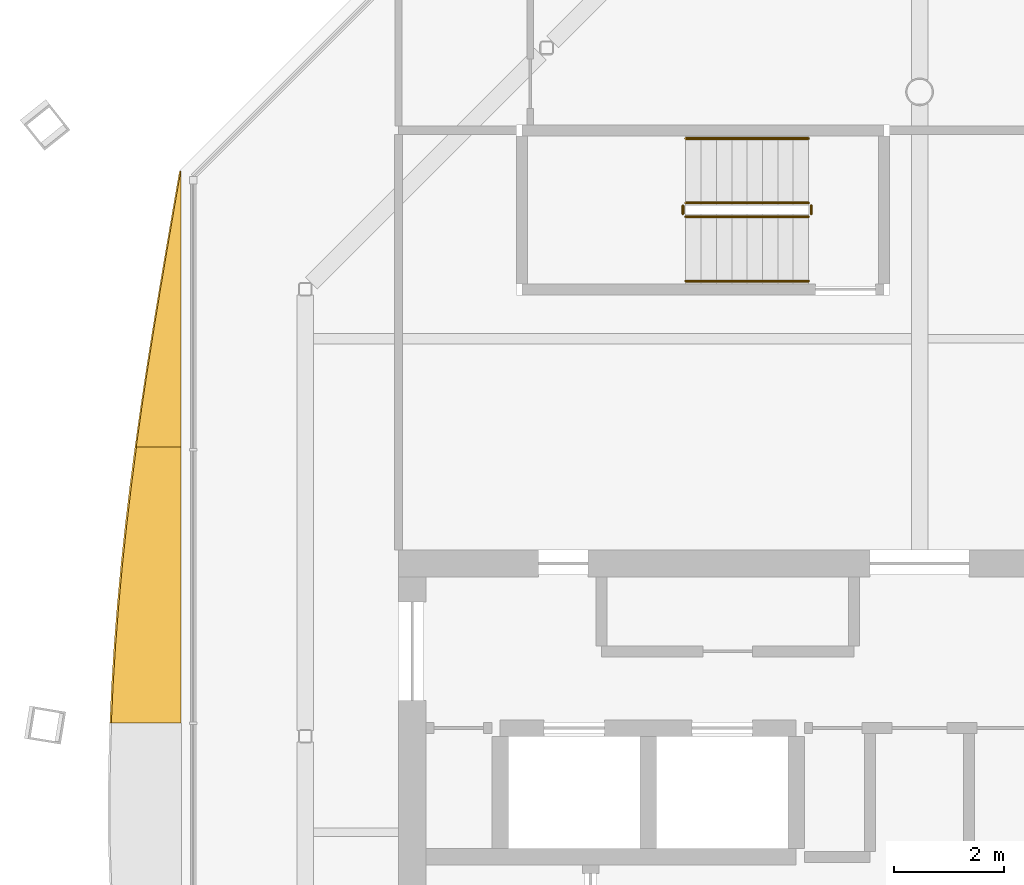
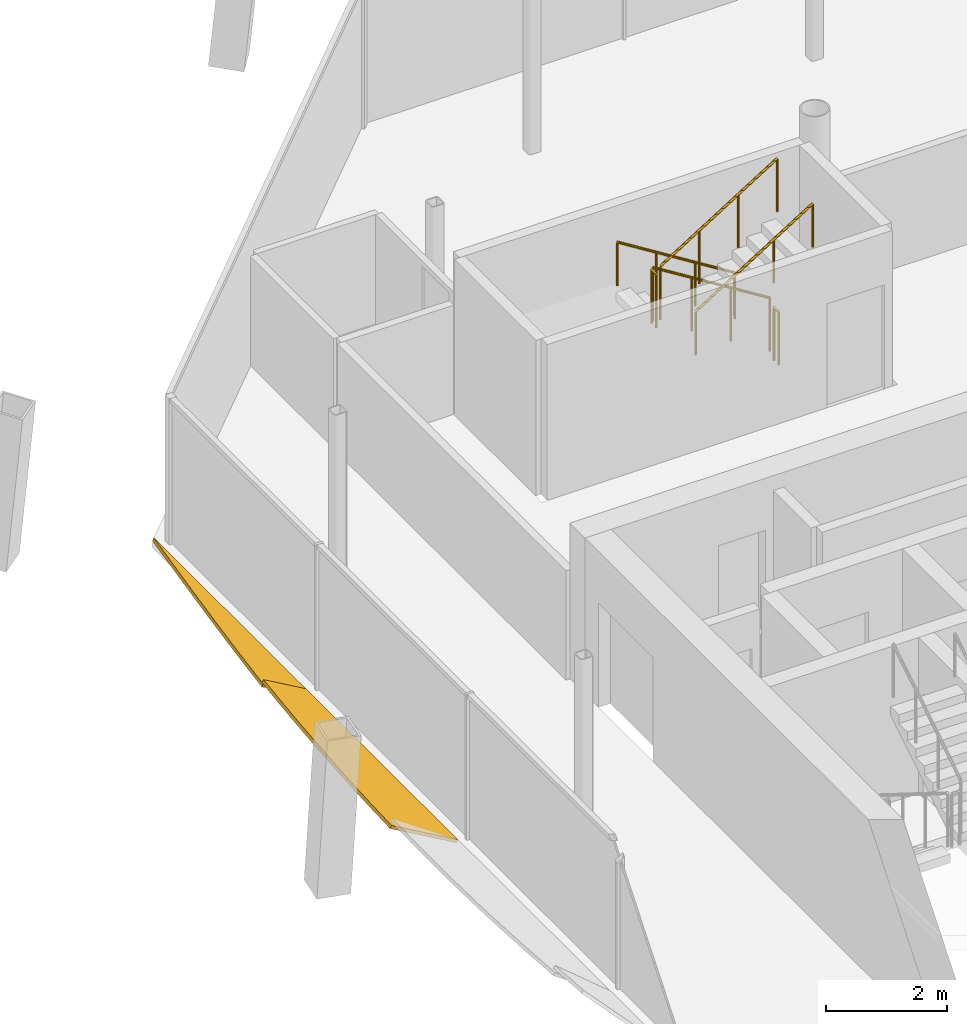
# One storey, part 13 of 14: 6 railings, 2 shading devices.
"""IFC4 building model written with IfcOpenShell, lengths in metres."""

from ifc_helpers import new_model, si_unit, direction, frame, origin, origin_2d, place, context, subcontext, project, spatial, polyline, circle, outline, extrude, material, layer, layer_set, type_object, element, save


model = new_model("IFC4")

# Units and contexts
model_context = context("Model", 3, precision=1e-05, world=origin(), true_north=direction((0.0, 1.0)))
body_context = subcontext(model_context, "Body", "Model", "MODEL_VIEW")
ifc_project = project(units=[si_unit("LENGTHUNIT", "METRE"), si_unit("AREAUNIT", "SQUARE_METRE"), si_unit("VOLUMEUNIT", "CUBIC_METRE"), si_unit("PLANEANGLEUNIT", "RADIAN"), si_unit("MASSUNIT", "GRAM", prefix="KILO")], contexts=[model_context])

# Site, building, storey
site_placement = place(None, origin())
site = spatial("IfcSite", under=ifc_project, at=site_placement, CompositionType="ELEMENT")
building_placement = place(site_placement, origin())
building = spatial("IfcBuilding", under=site, at=building_placement, Name="Tskaro Facet Tower", CompositionType="ELEMENT")
storey_placement = place(building_placement, frame((0.0, 0.0, 275.25)))
storey = spatial("IfcBuildingStorey", under=building, at=storey_placement, Name="L73", CompositionType="ELEMENT", Elevation=275.25)

# Shading devices
ifc_material_1 = material(Name="Bronze anodised aluminium 6063-T6", Category="aluminium")
ifc_layer = layer(ifc_material_1, 0.06005859375, Name="Bronze anodised aluminium 6063-T6")
ifc_layer_set = layer_set([ifc_layer], Name="Bronze anodised aluminium 6063-T6")
shading_device_type = type_object("IfcShadingDeviceType", Name="Bronze sun blade (FN1)", PredefinedType="USERDEFINED", material=ifc_layer_set)
shading_device_1_placement = place(storey_placement, frame((-13.470703125, 7.56103515625, 0.054443359375), z_axis=(0.422618813083, 5.174513e-06, 0.906307529926), x_axis=(2.186846e-06, -0.999999999987, 4.6897e-06)))
element("IfcShadingDevice", 1, at=shading_device_1_placement, inside=storey, type_object=shading_device_type, Name="Fin blade west 1", ObjectType="FIN", PredefinedType="USERDEFINED", context=body_context, shape_type="SweptSolid", body=[
    extrude(outline(polyline([(0.0, 0.0), (5.0361328124325775, -2.132885209467982e-21), (5.036132812576439, -0.8965077777220442), (4.3166503900820405, -0.7841198605988229), (3.597167968874582, -0.6648440521859581), (2.8776855473523706, -0.5393441519438538), (2.1582031251358083, -0.40893284914884565), (1.4389648430041906, -0.27470156659046785), (0.7194824221517185, -0.13794808390058316), (0.0, 0.0)])), origin(), (0.0, 0.0, -1.0), 0.06005859375),
])
shading_device_2_placement = place(storey_placement, frame((-13.466064453125, 2.52490234375, 0.052001953125), z_axis=(0.500031332152, -4.1017e-06, 0.866007313393), x_axis=(-2.050979e-06, -0.999999999992, -3.552102e-06)))
element("IfcShadingDevice", 2, at=shading_device_2_placement, inside=storey, type_object=shading_device_type, Name="Fin blade west 2", ObjectType="FIN", PredefinedType="USERDEFINED", context=body_context, shape_type="SweptSolid", body=[
    extrude(outline(polyline([(0.0, 0.0), (5.035888671832638, 0.0), (5.0358886722784195, -1.467869693685246), (4.316406250185391, -1.4287150249510954), (3.5969238279729203, -1.3763271556070786), (2.877685546900976, -1.3114624463153917), (2.158203124852349, -1.234242975037987), (1.4387207027205218, -1.145758607965761), (0.7192382811404624, -1.0467657057609099), (5.049260576417698e-10, -0.9381427070475821), (0.0, 0.0)])), origin(), (0.0, 0.0, -1.0), 0.06005859375),
])

# Railings
ifc_material_2 = material(Name="Stainless steel", Category="steel")
railing_type_1 = type_object("IfcRailingType", Name="RL-GUARD-1100", PredefinedType="GUARDRAIL", material=ifc_material_2)
railing_1_placement = place(storey_placement, frame((-2.02490234375, 6.97509765625, 0.175048828125)))
element("IfcRailing", 3, at=railing_1_placement, inside=storey, type_object=railing_type_1, Name="L73 ST-3 stair guard 1", PredefinedType="GUARDRAIL", context=body_context, shape_type="SweptSolid", body=[
    extrude(circle(Radius=0.02392578125, at=origin_2d()), frame((0.0, 0.0, 1.076171875), z_axis=(-0.848013881152, 0.0, 0.529974015752), x_axis=(0.0, -1.0, 0.0)), (0.0, 0.0, 1.0), 2.641357421875),
    extrude(circle(Radius=0.02099609375, at=origin_2d()), origin(), (0.0, 0.0, 1.0), 1.052001953125),
    extrude(circle(Radius=0.02099609375, at=origin_2d()), frame((-0.74658203125, 0.0, 0.466552734375)), (0.0, 0.0, 1.0), 1.052001953125),
    extrude(circle(Radius=0.02099609375, at=origin_2d()), frame((-1.493408203125, 0.0, 0.933349609375)), (0.0, 0.0, 1.0), 1.052001953125),
    extrude(circle(Radius=0.02099609375, at=origin_2d()), frame((-2.239990234375, 0.0, 1.39990234375)), (0.0, 0.0, 1.0), 1.052001953125),
])
railing_2_placement = place(storey_placement, frame((-4.31494140625, 6.925048828125, 1.574951171875)))
element("IfcRailing", 4, at=railing_2_placement, inside=storey, type_object=railing_type_1, Name="L73 ST-3 stair guard 2", PredefinedType="GUARDRAIL", context=body_context, shape_type="SweptSolid", body=[
    extrude(circle(Radius=0.02392578125, at=origin_2d()), frame((0.0, 0.0, 1.076171875), z_axis=(0.0, -1.0, 0.0), x_axis=(1.0, 0.0, 0.0)), (0.0, 0.0, 1.0), 0.150146484375),
    extrude(circle(Radius=0.02099609375, at=origin_2d()), origin(), (0.0, 0.0, 1.0), 1.052001953125),
    extrude(circle(Radius=0.02099609375, at=origin_2d()), frame((0.0, -0.150146484375, 0.0)), (0.0, 0.0, 1.0), 1.052001953125),
])
railing_3_placement = place(storey_placement, frame((-4.264892578125, 6.72509765625, 1.75)))
element("IfcRailing", 5, at=railing_3_placement, inside=storey, type_object=railing_type_1, Name="L73 ST-3 stair guard 3", PredefinedType="GUARDRAIL", context=body_context, shape_type="SweptSolid", body=[
    extrude(circle(Radius=0.02392578125, at=origin_2d()), frame((0.0, 0.0, 1.076171875), z_axis=(0.848013881152, 0.0, 0.529974015752), x_axis=(0.0, 1.0, 0.0)), (0.0, 0.0, 1.0), 2.641357421875),
    extrude(circle(Radius=0.02099609375, at=origin_2d()), origin(), (0.0, 0.0, 1.0), 1.052001953125),
    extrude(circle(Radius=0.02099609375, at=origin_2d()), frame((0.74658203125, 0.0, 0.466552734375)), (0.0, 0.0, 1.0), 1.052001953125),
    extrude(circle(Radius=0.02099609375, at=origin_2d()), frame((1.493408203125, 0.0, 0.933349609375)), (0.0, 0.0, 1.0), 1.052001953125),
    extrude(circle(Radius=0.02099609375, at=origin_2d()), frame((2.239990234375, 0.0, 1.39990234375)), (0.0, 0.0, 1.0), 1.052001953125),
])
railing_4_placement = place(storey_placement, frame((-1.97509765625, 6.925048828125, 0.0)))
element("IfcRailing", 6, at=railing_4_placement, inside=storey, type_object=railing_type_1, Name="L73 ST-3 stair guard 4", PredefinedType="GUARDRAIL", context=body_context, shape_type="SweptSolid", body=[
    extrude(circle(Radius=0.02392578125, at=origin_2d()), frame((0.0, 0.0, 1.076171875), z_axis=(0.0, -1.0, 0.0), x_axis=(1.0, 0.0, 0.0)), (0.0, 0.0, 1.0), 0.150146484375),
    extrude(circle(Radius=0.02099609375, at=origin_2d()), origin(), (0.0, 0.0, 1.0), 1.052001953125),
    extrude(circle(Radius=0.02099609375, at=origin_2d()), frame((0.0, -0.150146484375, 0.0)), (0.0, 0.0, 1.0), 1.052001953125),
])
railing_type_2 = type_object("IfcRailingType", Name="RL-HANDRAIL-900", PredefinedType="HANDRAIL", material=ifc_material_2)
railing_5_placement = place(storey_placement, frame((-2.02490234375, 8.14990234375, 0.175048828125)))
element("IfcRailing", 7, at=railing_5_placement, inside=storey, type_object=railing_type_2, Name="L73 ST-3 stair handrail 1", PredefinedType="HANDRAIL", context=body_context, shape_type="SweptSolid", body=[
    extrude(circle(Radius=0.02392578125, at=origin_2d()), frame((0.0, 0.0, 0.8759765625), z_axis=(-0.848013881152, 0.0, 0.529974015752), x_axis=(0.0, -1.0, 0.0)), (0.0, 0.0, 1.0), 2.641357421875),
    extrude(circle(Radius=0.02099609375, at=origin_2d()), origin(), (0.0, 0.0, 1.0), 0.851806640625),
    extrude(circle(Radius=0.02099609375, at=origin_2d()), frame((-0.74658203125, 0.0, 0.466552734375)), (0.0, 0.0, 1.0), 0.851806640625),
    extrude(circle(Radius=0.02099609375, at=origin_2d()), frame((-1.493408203125, 0.0, 0.933349609375)), (0.0, 0.0, 1.0), 0.851806640625),
    extrude(circle(Radius=0.02099609375, at=origin_2d()), frame((-2.239990234375, 0.0, 1.39990234375)), (0.0, 0.0, 1.0), 0.851806640625),
])
railing_6_placement = place(storey_placement, frame((-4.264892578125, 5.550048828125, 1.75)))
element("IfcRailing", 8, at=railing_6_placement, inside=storey, type_object=railing_type_2, Name="L73 ST-3 stair handrail 2", PredefinedType="HANDRAIL", context=body_context, shape_type="SweptSolid", body=[
    extrude(circle(Radius=0.02392578125, at=origin_2d()), frame((0.0, 0.0, 0.8759765625), z_axis=(0.848013881152, 0.0, 0.529974015752), x_axis=(0.0, 1.0, 0.0)), (0.0, 0.0, 1.0), 2.641357421875),
    extrude(circle(Radius=0.02099609375, at=origin_2d()), origin(), (0.0, 0.0, 1.0), 0.851806640625),
    extrude(circle(Radius=0.02099609375, at=origin_2d()), frame((0.74658203125, 0.0, 0.466552734375)), (0.0, 0.0, 1.0), 0.851806640625),
    extrude(circle(Radius=0.02099609375, at=origin_2d()), frame((1.493408203125, 0.0, 0.933349609375)), (0.0, 0.0, 1.0), 0.851806640625),
    extrude(circle(Radius=0.02099609375, at=origin_2d()), frame((2.239990234375, 0.0, 1.39990234375)), (0.0, 0.0, 1.0), 0.851806640625),
])

save(model, "model.ifc")
